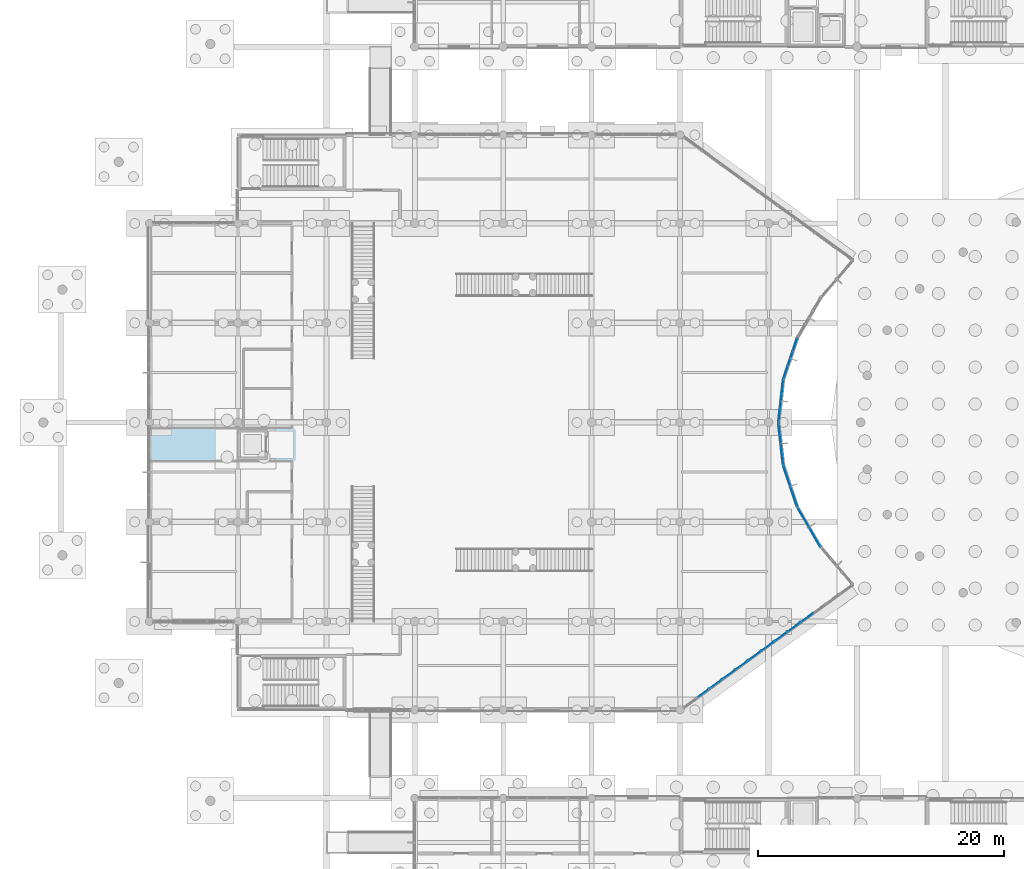
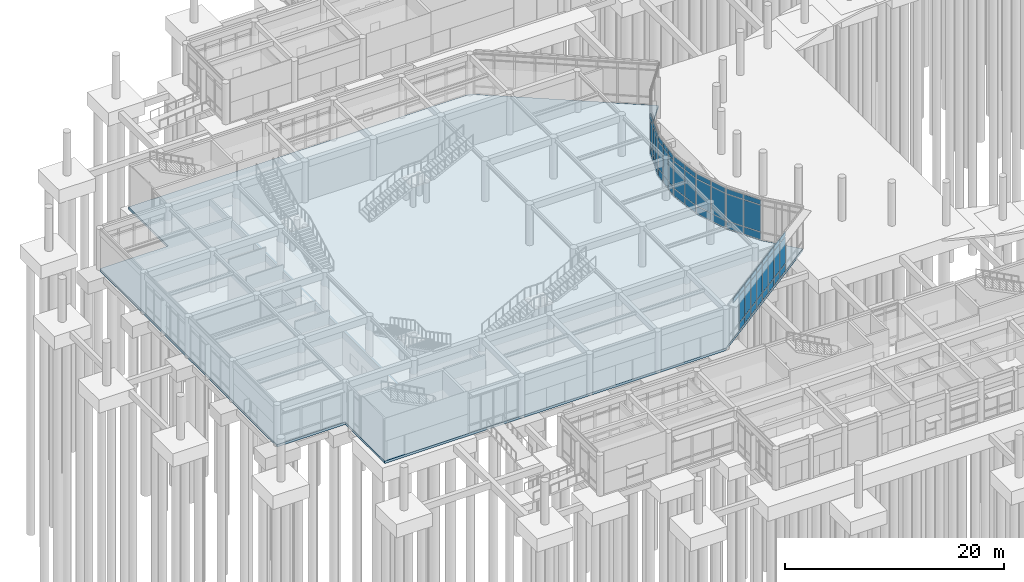
# One storey, part 42 of 103: 61 plates, 1 slab, 6 elements without a shape of their own.
"""IFC4 building model written with IfcOpenShell, lengths in metres."""

from ifc_helpers import new_model, si_unit, direction, frame, origin, origin_2d, place, context, subcontext, project, spatial, polyline, rectangle, outline, extrude, material, layer, layer_set, type_object, element, aggregate, save


model = new_model("IFC4")

# Units and contexts
model_context = context("Model", 3, precision=1e-05, world=origin(), true_north=direction((0.0, 1.0)))
body_context = subcontext(model_context, "Body", "Model", "MODEL_VIEW")
ifc_project = project(units=[si_unit("LENGTHUNIT", "METRE"), si_unit("AREAUNIT", "SQUARE_METRE"), si_unit("VOLUMEUNIT", "CUBIC_METRE"), si_unit("PLANEANGLEUNIT", "RADIAN"), si_unit("MASSUNIT", "GRAM", prefix="KILO")], contexts=[model_context])

# Site, building, storey
site_placement = place(None, origin())
site = spatial("IfcSite", under=ifc_project, at=site_placement, CompositionType="ELEMENT")
building_placement = place(site_placement, origin())
building = spatial("IfcBuilding", under=site, at=building_placement, Name="Namkhue Oval Health Centre", CompositionType="ELEMENT")
storey_placement = place(building_placement, origin())
storey = spatial("IfcBuildingStorey", under=building, at=storey_placement, Name="L00", CompositionType="ELEMENT", Elevation=0.0)

# Curtain wall, plates
ifc_material_1 = material(Name="Anodised aluminium EN AW-6063 T6", Category="aluminium")
ifc_layer_1 = layer(ifc_material_1, 0.159912109375)
ifc_layer_set_1 = layer_set([ifc_layer_1], Name="Anodised aluminium EN AW-6063 T6")
curtain_wall_type_1 = type_object("IfcCurtainWallType", Name="UNITISED CURTAIN WALL M1800", PredefinedType="NOTDEFINED", material=ifc_layer_set_1)
curtain_wall_1_placement = place(storey_placement, origin())
curtain_wall_1 = element("IfcCurtainWall", 1, at=curtain_wall_1_placement, inside=storey, type_object=curtain_wall_type_1, Name="Volume V1 L00 Unitised Curtain Wall 5", PredefinedType="NOTDEFINED")
ifc_material_2 = material(Name="Thermally broken low-E laminated double glazing", Category="glass")
ifc_layer_2 = layer(ifc_material_2, 0.02587890625)
ifc_layer_set_2 = layer_set([ifc_layer_2], Name="Thermally broken low-E laminated double glazing")
plate_type_1 = type_object("IfcPlateType", Name="CURTAIN WALL GLAZED PANEL 26", PredefinedType="CURTAIN_PANEL", material=ifc_layer_set_2)
plate_1_placement = place(storey_placement, frame((66.844970703125, 53.368408203125, 0.06494140625), z_axis=(0.0, 0.0, 1.0), x_axis=(-0.319641520458, 0.947538547184, 0.0)))
plate_1 = element("IfcPlate", 2, at=plate_1_placement, type_object=plate_type_1, Name="CW-05 panel 1.1", PredefinedType="CURTAIN_PANEL", context=body_context, shape_type="SweptSolid", body=[
    extrude(rectangle(XDim=1.702880859375, YDim=0.02587890625, at=origin_2d()), origin(), (0.0, 0.0, 1.0), 0.802490234375),
])
plate_2_placement = place(storey_placement, frame((66.844970703125, 53.368408203125, 0.9326171875), z_axis=(0.0, 0.0, 1.0), x_axis=(-0.319641520458, 0.947538547184, 0.0)))
plate_2 = element("IfcPlate", 3, at=plate_2_placement, type_object=plate_type_1, Name="CW-05 panel 1.2", PredefinedType="CURTAIN_PANEL", context=body_context, shape_type="SweptSolid", body=[
    extrude(rectangle(XDim=1.702880859375, YDim=0.02587890625, at=origin_2d()), origin(), (0.0, 0.0, 1.0), 2.949951171875),
])
plate_3_placement = place(storey_placement, frame((66.844970703125, 53.368408203125, 3.947265625), z_axis=(0.0, 0.0, 1.0), x_axis=(-0.319641520458, 0.947538547184, 0.0)))
plate_3 = element("IfcPlate", 4, at=plate_3_placement, type_object=plate_type_1, Name="CW-05 panel 1.3", PredefinedType="CURTAIN_PANEL", context=body_context, shape_type="SweptSolid", body=[
    extrude(rectangle(XDim=1.702880859375, YDim=0.02587890625, at=origin_2d()), origin(), (0.0, 0.0, 1.0), 0.552490234375),
])
plate_4_placement = place(storey_placement, frame((66.280029296875, 55.043701171875, 0.06494140625), z_axis=(0.0, 0.0, 1.0), x_axis=(-0.319641520458, 0.947538547184, 0.0)))
plate_4 = element("IfcPlate", 5, at=plate_4_placement, type_object=plate_type_1, Name="CW-05 panel 2.1", PredefinedType="CURTAIN_PANEL", context=body_context, shape_type="SweptSolid", body=[
    extrude(rectangle(XDim=1.702880859375, YDim=0.02587890625, at=origin_2d()), origin(), (0.0, 0.0, 1.0), 0.802490234375),
])
plate_5_placement = place(storey_placement, frame((66.280029296875, 55.043701171875, 0.9326171875), z_axis=(0.0, 0.0, 1.0), x_axis=(-0.319641520458, 0.947538547184, 0.0)))
plate_5 = element("IfcPlate", 6, at=plate_5_placement, type_object=plate_type_1, Name="CW-05 panel 2.2", PredefinedType="CURTAIN_PANEL", context=body_context, shape_type="SweptSolid", body=[
    extrude(rectangle(XDim=1.702880859375, YDim=0.02587890625, at=origin_2d()), origin(), (0.0, 0.0, 1.0), 2.949951171875),
])
plate_6_placement = place(storey_placement, frame((66.280029296875, 55.043701171875, 3.947265625), z_axis=(0.0, 0.0, 1.0), x_axis=(-0.319641520458, 0.947538547184, 0.0)))
plate_6 = element("IfcPlate", 7, at=plate_6_placement, type_object=plate_type_1, Name="CW-05 panel 2.3", PredefinedType="CURTAIN_PANEL", context=body_context, shape_type="SweptSolid", body=[
    extrude(rectangle(XDim=1.702880859375, YDim=0.02587890625, at=origin_2d()), origin(), (0.0, 0.0, 1.0), 0.552490234375),
])
aggregate(curtain_wall_1, [plate_1, plate_2, plate_3, plate_4, plate_5, plate_6])

ifc_layer_3 = layer(ifc_material_1, 0.159912109375)
ifc_layer_set_3 = layer_set([ifc_layer_3], Name="Anodised aluminium EN AW-6063 T6")
curtain_wall_type_2 = type_object("IfcCurtainWallType", Name="UNITISED CURTAIN WALL M1350", PredefinedType="NOTDEFINED", material=ifc_layer_set_3)
curtain_wall_2_placement = place(storey_placement, origin())
curtain_wall_2 = element("IfcCurtainWall", 8, at=curtain_wall_2_placement, inside=storey, type_object=curtain_wall_type_2, Name="Volume V1 L00 Unitised Curtain Wall 2", PredefinedType="NOTDEFINED")
ifc_layer_4 = layer(ifc_material_2, 0.028076171875)
ifc_layer_set_4 = layer_set([ifc_layer_4], Name="Thermally broken low-E laminated double glazing")
plate_type_2 = type_object("IfcPlateType", Name="CURTAIN WALL GLAZED PANEL 28", PredefinedType="CURTAIN_PANEL", material=ifc_layer_set_4)
plate_7_placement = place(storey_placement, frame((59.45703125, 37.3515625, 3.952392578125), z_axis=(0.0, 0.0, 1.0), x_axis=(0.808513999682, 0.588476942894, 0.0)))
plate_7 = element("IfcPlate", 9, at=plate_7_placement, type_object=plate_type_2, Name="CW-02 panel 2.3", PredefinedType="CURTAIN_PANEL", context=body_context, shape_type="SweptSolid", body=[
    extrude(rectangle(XDim=1.23291015625, YDim=0.028076171875, at=origin_2d()), origin(), (0.0, 0.0, 1.0), 0.53759765625),
])
plate_8_placement = place(storey_placement, frame((60.514404296875, 38.121337890625, 0.074951171875), z_axis=(0.0, 0.0, 1.0), x_axis=(0.808513999682, 0.588476942894, 0.0)))
plate_8 = element("IfcPlate", 10, at=plate_8_placement, type_object=plate_type_2, Name="CW-02 panel 3.1", PredefinedType="CURTAIN_PANEL", context=body_context, shape_type="SweptSolid", body=[
    extrude(rectangle(XDim=1.23291015625, YDim=0.028076171875, at=origin_2d()), origin(), (0.0, 0.0, 1.0), 0.78759765625),
])
plate_9_placement = place(storey_placement, frame((60.514404296875, 38.121337890625, 0.9375), z_axis=(0.0, 0.0, 1.0), x_axis=(0.808513999682, 0.588476942894, 0.0)))
plate_9 = element("IfcPlate", 11, at=plate_9_placement, type_object=plate_type_2, Name="CW-02 panel 3.2", PredefinedType="CURTAIN_PANEL", context=body_context, shape_type="SweptSolid", body=[
    extrude(rectangle(XDim=1.23291015625, YDim=0.028076171875, at=origin_2d()), origin(), (0.0, 0.0, 1.0), 2.93994140625),
])
plate_10_placement = place(storey_placement, frame((60.514404296875, 38.121337890625, 3.952392578125), z_axis=(0.0, 0.0, 1.0), x_axis=(0.808513999682, 0.588476942894, 0.0)))
plate_10 = element("IfcPlate", 12, at=plate_10_placement, type_object=plate_type_2, Name="CW-02 panel 3.3", PredefinedType="CURTAIN_PANEL", context=body_context, shape_type="SweptSolid", body=[
    extrude(rectangle(XDim=1.23291015625, YDim=0.028076171875, at=origin_2d()), origin(), (0.0, 0.0, 1.0), 0.53759765625),
])
plate_11_placement = place(storey_placement, frame((61.572021484375, 38.89111328125, 0.074951171875), z_axis=(0.0, 0.0, 1.0), x_axis=(0.808513999682, 0.588476942894, 0.0)))
plate_11 = element("IfcPlate", 13, at=plate_11_placement, type_object=plate_type_2, Name="CW-02 panel 4.1", PredefinedType="CURTAIN_PANEL", context=body_context, shape_type="SweptSolid", body=[
    extrude(rectangle(XDim=1.23291015625, YDim=0.028076171875, at=origin_2d()), origin(), (0.0, 0.0, 1.0), 0.78759765625),
])
plate_12_placement = place(storey_placement, frame((61.572021484375, 38.89111328125, 0.9375), z_axis=(0.0, 0.0, 1.0), x_axis=(0.808513999682, 0.588476942894, 0.0)))
plate_12 = element("IfcPlate", 14, at=plate_12_placement, type_object=plate_type_2, Name="CW-02 panel 4.2", PredefinedType="CURTAIN_PANEL", context=body_context, shape_type="SweptSolid", body=[
    extrude(rectangle(XDim=1.23291015625, YDim=0.028076171875, at=origin_2d()), origin(), (0.0, 0.0, 1.0), 2.93994140625),
])
plate_13_placement = place(storey_placement, frame((61.572021484375, 38.89111328125, 3.952392578125), z_axis=(0.0, 0.0, 1.0), x_axis=(0.808513999682, 0.588476942894, 0.0)))
plate_13 = element("IfcPlate", 15, at=plate_13_placement, type_object=plate_type_2, Name="CW-02 panel 4.3", PredefinedType="CURTAIN_PANEL", context=body_context, shape_type="SweptSolid", body=[
    extrude(rectangle(XDim=1.23291015625, YDim=0.028076171875, at=origin_2d()), origin(), (0.0, 0.0, 1.0), 0.53759765625),
])
plate_14_placement = place(storey_placement, frame((62.62939453125, 39.66064453125, 0.074951171875), z_axis=(0.0, 0.0, 1.0), x_axis=(0.808513999682, 0.588476942894, 0.0)))
plate_14 = element("IfcPlate", 16, at=plate_14_placement, type_object=plate_type_2, Name="CW-02 panel 5.1", PredefinedType="CURTAIN_PANEL", context=body_context, shape_type="SweptSolid", body=[
    extrude(rectangle(XDim=1.23291015625, YDim=0.028076171875, at=origin_2d()), origin(), (0.0, 0.0, 1.0), 0.78759765625),
])
plate_15_placement = place(storey_placement, frame((62.62939453125, 39.66064453125, 0.9375), z_axis=(0.0, 0.0, 1.0), x_axis=(0.808513999682, 0.588476942894, 0.0)))
plate_15 = element("IfcPlate", 17, at=plate_15_placement, type_object=plate_type_2, Name="CW-02 panel 5.2", PredefinedType="CURTAIN_PANEL", context=body_context, shape_type="SweptSolid", body=[
    extrude(rectangle(XDim=1.23291015625, YDim=0.028076171875, at=origin_2d()), origin(), (0.0, 0.0, 1.0), 2.93994140625),
])
plate_16_placement = place(storey_placement, frame((62.62939453125, 39.66064453125, 3.952392578125), z_axis=(0.0, 0.0, 1.0), x_axis=(0.808513999682, 0.588476942894, 0.0)))
plate_16 = element("IfcPlate", 18, at=plate_16_placement, type_object=plate_type_2, Name="CW-02 panel 5.3", PredefinedType="CURTAIN_PANEL", context=body_context, shape_type="SweptSolid", body=[
    extrude(rectangle(XDim=1.23291015625, YDim=0.028076171875, at=origin_2d()), origin(), (0.0, 0.0, 1.0), 0.53759765625),
])
plate_17_placement = place(storey_placement, frame((63.68701171875, 40.430419921875, 0.074951171875), z_axis=(0.0, 0.0, 1.0), x_axis=(0.808513999682, 0.588476942894, 0.0)))
plate_17 = element("IfcPlate", 19, at=plate_17_placement, type_object=plate_type_2, Name="CW-02 panel 6.1", PredefinedType="CURTAIN_PANEL", context=body_context, shape_type="SweptSolid", body=[
    extrude(rectangle(XDim=1.23291015625, YDim=0.028076171875, at=origin_2d()), origin(), (0.0, 0.0, 1.0), 0.78759765625),
])
plate_18_placement = place(storey_placement, frame((63.68701171875, 40.430419921875, 0.9375), z_axis=(0.0, 0.0, 1.0), x_axis=(0.808513999682, 0.588476942894, 0.0)))
plate_18 = element("IfcPlate", 20, at=plate_18_placement, type_object=plate_type_2, Name="CW-02 panel 6.2", PredefinedType="CURTAIN_PANEL", context=body_context, shape_type="SweptSolid", body=[
    extrude(rectangle(XDim=1.23291015625, YDim=0.028076171875, at=origin_2d()), origin(), (0.0, 0.0, 1.0), 2.93994140625),
])
plate_19_placement = place(storey_placement, frame((63.68701171875, 40.430419921875, 3.952392578125), z_axis=(0.0, 0.0, 1.0), x_axis=(0.808513999682, 0.588476942894, 0.0)))
plate_19 = element("IfcPlate", 21, at=plate_19_placement, type_object=plate_type_2, Name="CW-02 panel 6.3", PredefinedType="CURTAIN_PANEL", context=body_context, shape_type="SweptSolid", body=[
    extrude(rectangle(XDim=1.23291015625, YDim=0.028076171875, at=origin_2d()), origin(), (0.0, 0.0, 1.0), 0.53759765625),
])
plate_20_placement = place(storey_placement, frame((64.744384765625, 41.199951171875, 0.074951171875), z_axis=(0.0, 0.0, 1.0), x_axis=(0.808513999682, 0.588476942894, 0.0)))
plate_20 = element("IfcPlate", 22, at=plate_20_placement, type_object=plate_type_2, Name="CW-02 panel 7.1", PredefinedType="CURTAIN_PANEL", context=body_context, shape_type="SweptSolid", body=[
    extrude(rectangle(XDim=1.23291015625, YDim=0.028076171875, at=origin_2d()), origin(), (0.0, 0.0, 1.0), 0.78759765625),
])
plate_21_placement = place(storey_placement, frame((64.744384765625, 41.199951171875, 0.9375), z_axis=(0.0, 0.0, 1.0), x_axis=(0.808513999682, 0.588476942894, 0.0)))
plate_21 = element("IfcPlate", 23, at=plate_21_placement, type_object=plate_type_2, Name="CW-02 panel 7.2", PredefinedType="CURTAIN_PANEL", context=body_context, shape_type="SweptSolid", body=[
    extrude(rectangle(XDim=1.23291015625, YDim=0.028076171875, at=origin_2d()), origin(), (0.0, 0.0, 1.0), 2.93994140625),
])
plate_22_placement = place(storey_placement, frame((64.744384765625, 41.199951171875, 3.952392578125), z_axis=(0.0, 0.0, 1.0), x_axis=(0.808513999682, 0.588476942894, 0.0)))
plate_22 = element("IfcPlate", 24, at=plate_22_placement, type_object=plate_type_2, Name="CW-02 panel 7.3", PredefinedType="CURTAIN_PANEL", context=body_context, shape_type="SweptSolid", body=[
    extrude(rectangle(XDim=1.23291015625, YDim=0.028076171875, at=origin_2d()), origin(), (0.0, 0.0, 1.0), 0.53759765625),
])
plate_23_placement = place(storey_placement, frame((65.8017578125, 41.9697265625, 0.074951171875), z_axis=(0.0, 0.0, 1.0), x_axis=(0.808513999682, 0.588476942894, 0.0)))
plate_23 = element("IfcPlate", 25, at=plate_23_placement, type_object=plate_type_2, Name="CW-02 panel 8.1", PredefinedType="CURTAIN_PANEL", context=body_context, shape_type="SweptSolid", body=[
    extrude(rectangle(XDim=1.23291015625, YDim=0.028076171875, at=origin_2d()), origin(), (0.0, 0.0, 1.0), 0.78759765625),
])
plate_24_placement = place(storey_placement, frame((65.8017578125, 41.9697265625, 0.9375), z_axis=(0.0, 0.0, 1.0), x_axis=(0.808513999682, 0.588476942894, 0.0)))
plate_24 = element("IfcPlate", 26, at=plate_24_placement, type_object=plate_type_2, Name="CW-02 panel 8.2", PredefinedType="CURTAIN_PANEL", context=body_context, shape_type="SweptSolid", body=[
    extrude(rectangle(XDim=1.23291015625, YDim=0.028076171875, at=origin_2d()), origin(), (0.0, 0.0, 1.0), 2.93994140625),
])
plate_25_placement = place(storey_placement, frame((65.8017578125, 41.9697265625, 3.952392578125), z_axis=(0.0, 0.0, 1.0), x_axis=(0.808513999682, 0.588476942894, 0.0)))
plate_25 = element("IfcPlate", 27, at=plate_25_placement, type_object=plate_type_2, Name="CW-02 panel 8.3", PredefinedType="CURTAIN_PANEL", context=body_context, shape_type="SweptSolid", body=[
    extrude(rectangle(XDim=1.23291015625, YDim=0.028076171875, at=origin_2d()), origin(), (0.0, 0.0, 1.0), 0.53759765625),
])
plate_26_placement = place(storey_placement, frame((66.859375, 42.739501953125, 0.074951171875), z_axis=(0.0, 0.0, 1.0), x_axis=(0.808513999682, 0.588476942894, 0.0)))
plate_26 = element("IfcPlate", 28, at=plate_26_placement, type_object=plate_type_2, Name="CW-02 panel 9.1", PredefinedType="CURTAIN_PANEL", context=body_context, shape_type="SweptSolid", body=[
    extrude(rectangle(XDim=1.23291015625, YDim=0.028076171875, at=origin_2d()), origin(), (0.0, 0.0, 1.0), 0.78759765625),
])
plate_27_placement = place(storey_placement, frame((66.859375, 42.739501953125, 0.9375), z_axis=(0.0, 0.0, 1.0), x_axis=(0.808513999682, 0.588476942894, 0.0)))
plate_27 = element("IfcPlate", 29, at=plate_27_placement, type_object=plate_type_2, Name="CW-02 panel 9.2", PredefinedType="CURTAIN_PANEL", context=body_context, shape_type="SweptSolid", body=[
    extrude(rectangle(XDim=1.23291015625, YDim=0.028076171875, at=origin_2d()), origin(), (0.0, 0.0, 1.0), 2.93994140625),
])
plate_28_placement = place(storey_placement, frame((66.859375, 42.739501953125, 3.952392578125), z_axis=(0.0, 0.0, 1.0), x_axis=(0.808513999682, 0.588476942894, 0.0)))
plate_28 = element("IfcPlate", 30, at=plate_28_placement, type_object=plate_type_2, Name="CW-02 panel 9.3", PredefinedType="CURTAIN_PANEL", context=body_context, shape_type="SweptSolid", body=[
    extrude(rectangle(XDim=1.23291015625, YDim=0.028076171875, at=origin_2d()), origin(), (0.0, 0.0, 1.0), 0.53759765625),
])
plate_29_placement = place(storey_placement, frame((67.916748046875, 43.509033203125, 0.074951171875), z_axis=(0.0, 0.0, 1.0), x_axis=(0.808513999682, 0.588476942894, 0.0)))
plate_29 = element("IfcPlate", 31, at=plate_29_placement, type_object=plate_type_2, Name="CW-02 panel 10.1", PredefinedType="CURTAIN_PANEL", context=body_context, shape_type="SweptSolid", body=[
    extrude(rectangle(XDim=1.23291015625, YDim=0.028076171875, at=origin_2d()), origin(), (0.0, 0.0, 1.0), 0.78759765625),
])
plate_30_placement = place(storey_placement, frame((67.916748046875, 43.509033203125, 0.9375), z_axis=(0.0, 0.0, 1.0), x_axis=(0.808513999682, 0.588476942894, 0.0)))
plate_30 = element("IfcPlate", 32, at=plate_30_placement, type_object=plate_type_2, Name="CW-02 panel 10.2", PredefinedType="CURTAIN_PANEL", context=body_context, shape_type="SweptSolid", body=[
    extrude(rectangle(XDim=1.23291015625, YDim=0.028076171875, at=origin_2d()), origin(), (0.0, 0.0, 1.0), 2.93994140625),
])
plate_31_placement = place(storey_placement, frame((67.916748046875, 43.509033203125, 3.952392578125), z_axis=(0.0, 0.0, 1.0), x_axis=(0.808513999682, 0.588476942894, 0.0)))
plate_31 = element("IfcPlate", 33, at=plate_31_placement, type_object=plate_type_2, Name="CW-02 panel 10.3", PredefinedType="CURTAIN_PANEL", context=body_context, shape_type="SweptSolid", body=[
    extrude(rectangle(XDim=1.23291015625, YDim=0.028076171875, at=origin_2d()), origin(), (0.0, 0.0, 1.0), 0.53759765625),
])
aggregate(curtain_wall_2, [plate_7, plate_8, plate_9, plate_10, plate_11, plate_12, plate_13, plate_14, plate_15, plate_16, plate_17, plate_18, plate_19, plate_20, plate_21, plate_22, plate_23, plate_24, plate_25, plate_26, plate_27, plate_28, plate_29, plate_30, plate_31])

ifc_layer_5 = layer(ifc_material_1, 0.159912109375)
ifc_layer_set_5 = layer_set([ifc_layer_5], Name="Anodised aluminium EN AW-6063 T6")
curtain_wall_type_3 = type_object("IfcCurtainWallType", Name="UNITISED CURTAIN WALL M2000", PredefinedType="NOTDEFINED", material=ifc_layer_set_5)
curtain_wall_3_placement = place(storey_placement, origin())
curtain_wall_3 = element("IfcCurtainWall", 34, at=curtain_wall_3_placement, inside=storey, type_object=curtain_wall_type_3, Name="Volume V1 L00 Unitised Curtain Wall 6", PredefinedType="NOTDEFINED")
plate_32_placement = place(storey_placement, frame((65.88818359375, 56.802734375, 0.074951171875), z_axis=(0.0, 0.0, 1.0), x_axis=(-0.110275150425, 0.993901097292, 0.0)))
plate_32 = element("IfcPlate", 35, at=plate_32_placement, type_object=plate_type_2, Name="CW-06 panel 1.1", PredefinedType="CURTAIN_PANEL", context=body_context, shape_type="SweptSolid", body=[
    extrude(rectangle(XDim=1.64208984375, YDim=0.028076171875, at=origin_2d()), origin(), (0.0, 0.0, 1.0), 0.78759765625),
])
plate_33_placement = place(storey_placement, frame((65.88818359375, 56.802734375, 0.9375), z_axis=(0.0, 0.0, 1.0), x_axis=(-0.110275150425, 0.993901097292, 0.0)))
plate_33 = element("IfcPlate", 36, at=plate_33_placement, type_object=plate_type_2, Name="CW-06 panel 1.2", PredefinedType="CURTAIN_PANEL", context=body_context, shape_type="SweptSolid", body=[
    extrude(rectangle(XDim=1.64208984375, YDim=0.028076171875, at=origin_2d()), origin(), (0.0, 0.0, 1.0), 2.93994140625),
])
plate_34_placement = place(storey_placement, frame((65.88818359375, 56.802734375, 3.952392578125), z_axis=(0.0, 0.0, 1.0), x_axis=(-0.110275150425, 0.993901097292, 0.0)))
plate_34 = element("IfcPlate", 37, at=plate_34_placement, type_object=plate_type_2, Name="CW-06 panel 1.3", PredefinedType="CURTAIN_PANEL", context=body_context, shape_type="SweptSolid", body=[
    extrude(rectangle(XDim=1.64208984375, YDim=0.028076171875, at=origin_2d()), origin(), (0.0, 0.0, 1.0), 0.53759765625),
])
plate_35_placement = place(storey_placement, frame((65.69873046875, 58.50927734375, 0.074951171875), z_axis=(0.0, 0.0, 1.0), x_axis=(-0.110275150425, 0.993901097292, 0.0)))
plate_35 = element("IfcPlate", 38, at=plate_35_placement, type_object=plate_type_2, Name="CW-06 panel 2.1", PredefinedType="CURTAIN_PANEL", context=body_context, shape_type="SweptSolid", body=[
    extrude(rectangle(XDim=1.64208984375, YDim=0.028076171875, at=origin_2d()), origin(), (0.0, 0.0, 1.0), 0.78759765625),
])
plate_36_placement = place(storey_placement, frame((65.69873046875, 58.50927734375, 0.9375), z_axis=(0.0, 0.0, 1.0), x_axis=(-0.110275150425, 0.993901097292, 0.0)))
plate_36 = element("IfcPlate", 39, at=plate_36_placement, type_object=plate_type_2, Name="CW-06 panel 2.2", PredefinedType="CURTAIN_PANEL", context=body_context, shape_type="SweptSolid", body=[
    extrude(rectangle(XDim=1.64208984375, YDim=0.028076171875, at=origin_2d()), origin(), (0.0, 0.0, 1.0), 2.93994140625),
])
plate_37_placement = place(storey_placement, frame((65.69873046875, 58.50927734375, 3.952392578125), z_axis=(0.0, 0.0, 1.0), x_axis=(-0.110275150425, 0.993901097292, 0.0)))
plate_37 = element("IfcPlate", 40, at=plate_37_placement, type_object=plate_type_2, Name="CW-06 panel 2.3", PredefinedType="CURTAIN_PANEL", context=body_context, shape_type="SweptSolid", body=[
    extrude(rectangle(XDim=1.64208984375, YDim=0.028076171875, at=origin_2d()), origin(), (0.0, 0.0, 1.0), 0.53759765625),
])
aggregate(curtain_wall_3, [plate_32, plate_33, plate_34, plate_35, plate_36, plate_37])

ifc_layer_6 = layer(ifc_material_1, 0.159912109375)
ifc_layer_set_6 = layer_set([ifc_layer_6], Name="Anodised aluminium EN AW-6063 T6")
curtain_wall_type_4 = type_object("IfcCurtainWallType", Name="UNITISED CURTAIN WALL M1200", PredefinedType="NOTDEFINED", material=ifc_layer_set_6)
curtain_wall_4_placement = place(storey_placement, origin())
curtain_wall_4 = element("IfcCurtainWall", 41, at=curtain_wall_4_placement, inside=storey, type_object=curtain_wall_type_4, Name="Volume V1 L00 Unitised Curtain Wall 7", PredefinedType="NOTDEFINED")
ifc_material_3 = material(Name="Insulated anodised aluminium spandrel panel", Category="aluminium")
ifc_layer_7 = layer(ifc_material_3, 0.031982421875)
ifc_layer_set_7 = layer_set([ifc_layer_7], Name="Insulated anodised aluminium spandrel panel")
plate_type_3 = type_object("IfcPlateType", Name="CURTAIN WALL SPANDREL PANEL 32", PredefinedType="CURTAIN_PANEL", material=ifc_layer_set_7)
plate_38_placement = place(storey_placement, frame((65.666259765625, 59.99755859375, 0.06494140625), z_axis=(0.0, 0.0, 1.0), x_axis=(0.110275150425, 0.993901097292, 0.0)))
plate_38 = element("IfcPlate", 42, at=plate_38_placement, type_object=plate_type_3, Name="CW-01 panel 1.1", PredefinedType="CURTAIN_PANEL", context=body_context, shape_type="SweptSolid", body=[
    extrude(rectangle(XDim=1.072265625, YDim=0.031982421875, at=origin_2d()), origin(), (0.0, 0.0, 1.0), 0.802490234375),
])
plate_39_placement = place(storey_placement, frame((65.666259765625, 59.99755859375, 0.9326171875), z_axis=(0.0, 0.0, 1.0), x_axis=(0.110275150425, 0.993901097292, 0.0)))
plate_39 = element("IfcPlate", 43, at=plate_39_placement, type_object=plate_type_3, Name="CW-01 panel 1.2", PredefinedType="CURTAIN_PANEL", context=body_context, shape_type="SweptSolid", body=[
    extrude(rectangle(XDim=1.072265625, YDim=0.031982421875, at=origin_2d()), origin(), (0.0, 0.0, 1.0), 2.949951171875),
])
plate_40_placement = place(storey_placement, frame((65.666259765625, 59.99755859375, 3.947265625), z_axis=(0.0, 0.0, 1.0), x_axis=(0.110275150425, 0.993901097292, 0.0)))
plate_40 = element("IfcPlate", 44, at=plate_40_placement, type_object=plate_type_3, Name="CW-01 panel 1.3", PredefinedType="CURTAIN_PANEL", context=body_context, shape_type="SweptSolid", body=[
    extrude(rectangle(XDim=1.072265625, YDim=0.031982421875, at=origin_2d()), origin(), (0.0, 0.0, 1.0), 0.552490234375),
])
plate_41_placement = place(storey_placement, frame((65.79345703125, 61.14404296875, 0.06494140625), z_axis=(0.0, 0.0, 1.0), x_axis=(0.110275150425, 0.993901097292, 0.0)))
plate_41 = element("IfcPlate", 45, at=plate_41_placement, type_object=plate_type_3, Name="CW-01 panel 2.1", PredefinedType="CURTAIN_PANEL", context=body_context, shape_type="SweptSolid", body=[
    extrude(rectangle(XDim=1.104736328125, YDim=0.031982421875, at=origin_2d()), origin(), (0.0, 0.0, 1.0), 0.802490234375),
])
plate_42_placement = place(storey_placement, frame((65.79345703125, 61.14404296875, 0.9326171875), z_axis=(0.0, 0.0, 1.0), x_axis=(0.110275150425, 0.993901097292, 0.0)))
plate_42 = element("IfcPlate", 46, at=plate_42_placement, type_object=plate_type_3, Name="CW-01 panel 2.2", PredefinedType="CURTAIN_PANEL", context=body_context, shape_type="SweptSolid", body=[
    extrude(rectangle(XDim=1.104736328125, YDim=0.031982421875, at=origin_2d()), origin(), (0.0, 0.0, 1.0), 2.949951171875),
])
plate_43_placement = place(storey_placement, frame((65.79345703125, 61.14404296875, 3.947265625), z_axis=(0.0, 0.0, 1.0), x_axis=(0.110275150425, 0.993901097292, 0.0)))
plate_43 = element("IfcPlate", 47, at=plate_43_placement, type_object=plate_type_3, Name="CW-01 panel 2.3", PredefinedType="CURTAIN_PANEL", context=body_context, shape_type="SweptSolid", body=[
    extrude(rectangle(XDim=1.104736328125, YDim=0.031982421875, at=origin_2d()), origin(), (0.0, 0.0, 1.0), 0.552490234375),
])
plate_44_placement = place(storey_placement, frame((65.920654296875, 62.29052734375, 0.06494140625), z_axis=(0.0, 0.0, 1.0), x_axis=(0.110275150425, 0.993901097292, 0.0)))
plate_44 = element("IfcPlate", 48, at=plate_44_placement, type_object=plate_type_3, Name="CW-01 panel 3.1", PredefinedType="CURTAIN_PANEL", context=body_context, shape_type="SweptSolid", body=[
    extrude(rectangle(XDim=1.072265625, YDim=0.031982421875, at=origin_2d()), origin(), (0.0, 0.0, 1.0), 0.802490234375),
])
plate_45_placement = place(storey_placement, frame((65.920654296875, 62.29052734375, 0.9326171875), z_axis=(0.0, 0.0, 1.0), x_axis=(0.110275150425, 0.993901097292, 0.0)))
plate_45 = element("IfcPlate", 49, at=plate_45_placement, type_object=plate_type_3, Name="CW-01 panel 3.2", PredefinedType="CURTAIN_PANEL", context=body_context, shape_type="SweptSolid", body=[
    extrude(rectangle(XDim=1.072265625, YDim=0.031982421875, at=origin_2d()), origin(), (0.0, 0.0, 1.0), 2.949951171875),
])
plate_46_placement = place(storey_placement, frame((65.920654296875, 62.29052734375, 3.947265625), z_axis=(0.0, 0.0, 1.0), x_axis=(0.110275150425, 0.993901097292, 0.0)))
plate_46 = element("IfcPlate", 50, at=plate_46_placement, type_object=plate_type_3, Name="CW-01 panel 3.3", PredefinedType="CURTAIN_PANEL", context=body_context, shape_type="SweptSolid", body=[
    extrude(rectangle(XDim=1.072265625, YDim=0.031982421875, at=origin_2d()), origin(), (0.0, 0.0, 1.0), 0.552490234375),
])
aggregate(curtain_wall_4, [plate_38, plate_39, plate_40, plate_41, plate_42, plate_43, plate_44, plate_45, plate_46])

ifc_layer_8 = layer(ifc_material_1, 0.159912109375)
ifc_layer_set_8 = layer_set([ifc_layer_8], Name="Anodised aluminium EN AW-6063 T6")
curtain_wall_type_5 = type_object("IfcCurtainWallType", Name="UNITISED CURTAIN WALL M1600", PredefinedType="NOTDEFINED", material=ifc_layer_set_8)
curtain_wall_5_placement = place(storey_placement, origin())
curtain_wall_5 = element("IfcCurtainWall", 51, at=curtain_wall_5_placement, inside=storey, type_object=curtain_wall_type_5, Name="Volume V1 L00 Unitised Curtain Wall 4", PredefinedType="NOTDEFINED")
ifc_layer_9 = layer(ifc_material_3, 0.035888671875)
ifc_layer_set_9 = layer_set([ifc_layer_9], Name="Insulated anodised aluminium spandrel panel")
plate_type_4 = type_object("IfcPlateType", Name="CURTAIN WALL SPANDREL PANEL 36", PredefinedType="CURTAIN_PANEL", material=ifc_layer_set_9)
plate_47_placement = place(storey_placement, frame((68.546875, 50.0712890625, 0.074951171875), z_axis=(0.0, 0.0, 1.0), x_axis=(-0.501757798896, 0.865008156752, 0.0)))
plate_47 = element("IfcPlate", 52, at=plate_47_placement, type_object=plate_type_4, Name="CW-04 panel 1.1", PredefinedType="CURTAIN_PANEL", context=body_context, shape_type="SweptSolid", body=[
    extrude(rectangle(XDim=1.77197265625, YDim=0.035888671875, at=origin_2d()), origin(), (0.0, 0.0, 1.0), 0.78759765625),
])
plate_48_placement = place(storey_placement, frame((68.546875, 50.0712890625, 0.9375), z_axis=(0.0, 0.0, 1.0), x_axis=(-0.501757798896, 0.865008156752, 0.0)))
plate_48 = element("IfcPlate", 53, at=plate_48_placement, type_object=plate_type_4, Name="CW-04 panel 1.2", PredefinedType="CURTAIN_PANEL", context=body_context, shape_type="SweptSolid", body=[
    extrude(rectangle(XDim=1.77197265625, YDim=0.035888671875, at=origin_2d()), origin(), (0.0, 0.0, 1.0), 2.93994140625),
])
plate_49_placement = place(storey_placement, frame((68.546875, 50.0712890625, 3.952392578125), z_axis=(0.0, 0.0, 1.0), x_axis=(-0.501757798896, 0.865008156752, 0.0)))
plate_49 = element("IfcPlate", 54, at=plate_49_placement, type_object=plate_type_4, Name="CW-04 panel 1.3", PredefinedType="CURTAIN_PANEL", context=body_context, shape_type="SweptSolid", body=[
    extrude(rectangle(XDim=1.77197265625, YDim=0.035888671875, at=origin_2d()), origin(), (0.0, 0.0, 1.0), 0.53759765625),
])
plate_50_placement = place(storey_placement, frame((67.6201171875, 51.668701171875, 0.074951171875), z_axis=(0.0, 0.0, 1.0), x_axis=(-0.501757798896, 0.865008156752, 0.0)))
plate_50 = element("IfcPlate", 55, at=plate_50_placement, type_object=plate_type_4, Name="CW-04 panel 2.1", PredefinedType="CURTAIN_PANEL", context=body_context, shape_type="SweptSolid", body=[
    extrude(rectangle(XDim=1.77197265625, YDim=0.035888671875, at=origin_2d()), origin(), (0.0, 0.0, 1.0), 0.78759765625),
])
plate_51_placement = place(storey_placement, frame((67.6201171875, 51.668701171875, 0.9375), z_axis=(0.0, 0.0, 1.0), x_axis=(-0.501757798896, 0.865008156752, 0.0)))
plate_51 = element("IfcPlate", 56, at=plate_51_placement, type_object=plate_type_4, Name="CW-04 panel 2.2", PredefinedType="CURTAIN_PANEL", context=body_context, shape_type="SweptSolid", body=[
    extrude(rectangle(XDim=1.77197265625, YDim=0.035888671875, at=origin_2d()), origin(), (0.0, 0.0, 1.0), 2.93994140625),
])
plate_52_placement = place(storey_placement, frame((67.6201171875, 51.668701171875, 3.952392578125), z_axis=(0.0, 0.0, 1.0), x_axis=(-0.501757798896, 0.865008156752, 0.0)))
plate_52 = element("IfcPlate", 57, at=plate_52_placement, type_object=plate_type_4, Name="CW-04 panel 2.3", PredefinedType="CURTAIN_PANEL", context=body_context, shape_type="SweptSolid", body=[
    extrude(rectangle(XDim=1.77197265625, YDim=0.035888671875, at=origin_2d()), origin(), (0.0, 0.0, 1.0), 0.53759765625),
])
aggregate(curtain_wall_5, [plate_47, plate_48, plate_49, plate_50, plate_51, plate_52])

curtain_wall_6_placement = place(storey_placement, origin())
curtain_wall_6 = element("IfcCurtainWall", 58, at=curtain_wall_6_placement, inside=storey, type_object=curtain_wall_type_2, Name="Volume V1 L00 Unitised Curtain Wall 8", PredefinedType="NOTDEFINED")
plate_53_placement = place(storey_placement, frame((66.184814453125, 63.474365234375, 0.074951171875), z_axis=(0.0, 0.0, 1.0), x_axis=(0.319641520458, 0.947538547184, 0.0)))
plate_53 = element("IfcPlate", 59, at=plate_53_placement, type_object=plate_type_4, Name="CW-02 panel 1.1", PredefinedType="CURTAIN_PANEL", context=body_context, shape_type="SweptSolid", body=[
    extrude(rectangle(XDim=1.087890625, YDim=0.035888671875, at=origin_2d()), origin(), (0.0, 0.0, 1.0), 0.78759765625),
])
plate_54_placement = place(storey_placement, frame((66.184814453125, 63.474365234375, 0.9375), z_axis=(0.0, 0.0, 1.0), x_axis=(0.319641520458, 0.947538547184, 0.0)))
plate_54 = element("IfcPlate", 60, at=plate_54_placement, type_object=plate_type_4, Name="CW-02 panel 1.2", PredefinedType="CURTAIN_PANEL", context=body_context, shape_type="SweptSolid", body=[
    extrude(rectangle(XDim=1.087890625, YDim=0.035888671875, at=origin_2d()), origin(), (0.0, 0.0, 1.0), 2.93994140625),
])
plate_55_placement = place(storey_placement, frame((66.184814453125, 63.474365234375, 3.952392578125), z_axis=(0.0, 0.0, 1.0), x_axis=(0.319641520458, 0.947538547184, 0.0)))
plate_55 = element("IfcPlate", 61, at=plate_55_placement, type_object=plate_type_4, Name="CW-02 panel 1.3", PredefinedType="CURTAIN_PANEL", context=body_context, shape_type="SweptSolid", body=[
    extrude(rectangle(XDim=1.087890625, YDim=0.035888671875, at=origin_2d()), origin(), (0.0, 0.0, 1.0), 0.53759765625),
])
plate_56_placement = place(storey_placement, frame((66.5625, 64.593994140625, 0.074951171875), z_axis=(0.0, 0.0, 1.0), x_axis=(0.319641520458, 0.947538547184, 0.0)))
plate_56 = element("IfcPlate", 62, at=plate_56_placement, type_object=plate_type_4, Name="CW-02 panel 2.1", PredefinedType="CURTAIN_PANEL", context=body_context, shape_type="SweptSolid", body=[
    extrude(rectangle(XDim=1.125244140625, YDim=0.035888671875, at=origin_2d()), origin(), (0.0, 0.0, 1.0), 0.78759765625),
])
plate_57_placement = place(storey_placement, frame((66.5625, 64.593994140625, 0.9375), z_axis=(0.0, 0.0, 1.0), x_axis=(0.319641520458, 0.947538547184, 0.0)))
plate_57 = element("IfcPlate", 63, at=plate_57_placement, type_object=plate_type_4, Name="CW-02 panel 2.2", PredefinedType="CURTAIN_PANEL", context=body_context, shape_type="SweptSolid", body=[
    extrude(rectangle(XDim=1.125244140625, YDim=0.035888671875, at=origin_2d()), origin(), (0.0, 0.0, 1.0), 2.93994140625),
])
plate_58_placement = place(storey_placement, frame((66.5625, 64.593994140625, 3.952392578125), z_axis=(0.0, 0.0, 1.0), x_axis=(0.319641520458, 0.947538547184, 0.0)))
plate_58 = element("IfcPlate", 64, at=plate_58_placement, type_object=plate_type_4, Name="CW-02 panel 2.3", PredefinedType="CURTAIN_PANEL", context=body_context, shape_type="SweptSolid", body=[
    extrude(rectangle(XDim=1.125244140625, YDim=0.035888671875, at=origin_2d()), origin(), (0.0, 0.0, 1.0), 0.53759765625),
])
plate_59_placement = place(storey_placement, frame((66.940185546875, 65.713623046875, 0.074951171875), z_axis=(0.0, 0.0, 1.0), x_axis=(0.319641520458, 0.947538547184, 0.0)))
plate_59 = element("IfcPlate", 65, at=plate_59_placement, type_object=plate_type_4, Name="CW-02 panel 3.1", PredefinedType="CURTAIN_PANEL", context=body_context, shape_type="SweptSolid", body=[
    extrude(rectangle(XDim=1.087890625, YDim=0.035888671875, at=origin_2d()), origin(), (0.0, 0.0, 1.0), 0.78759765625),
])
plate_60_placement = place(storey_placement, frame((66.940185546875, 65.713623046875, 0.9375), z_axis=(0.0, 0.0, 1.0), x_axis=(0.319641520458, 0.947538547184, 0.0)))
plate_60 = element("IfcPlate", 66, at=plate_60_placement, type_object=plate_type_4, Name="CW-02 panel 3.2", PredefinedType="CURTAIN_PANEL", context=body_context, shape_type="SweptSolid", body=[
    extrude(rectangle(XDim=1.087890625, YDim=0.035888671875, at=origin_2d()), origin(), (0.0, 0.0, 1.0), 2.93994140625),
])
plate_61_placement = place(storey_placement, frame((66.940185546875, 65.713623046875, 3.952392578125), z_axis=(0.0, 0.0, 1.0), x_axis=(0.319641520458, 0.947538547184, 0.0)))
plate_61 = element("IfcPlate", 67, at=plate_61_placement, type_object=plate_type_4, Name="CW-02 panel 3.3", PredefinedType="CURTAIN_PANEL", context=body_context, shape_type="SweptSolid", body=[
    extrude(rectangle(XDim=1.087890625, YDim=0.035888671875, at=origin_2d()), origin(), (0.0, 0.0, 1.0), 0.53759765625),
])
aggregate(curtain_wall_6, [plate_53, plate_54, plate_55, plate_56, plate_57, plate_58, plate_59, plate_60, plate_61])

# Slab
ifc_material_4 = material(Name="Reinforced concrete C30/37 (TCVN B35)", Category="concrete")
ifc_layer_10 = layer(ifc_material_4, 0.27001953125)
ifc_layer_set_10 = layer_set([ifc_layer_10], Name="Reinforced concrete C30/37 (TCVN B35)")
slab_type = type_object("IfcSlabType", Name="GROUND BASE SLAB 270", PredefinedType="BASESLAB", material=ifc_layer_set_10)
slab_placement = place(storey_placement, frame((0.0, 0.0, -0.27001953125)))
element("IfcSlab", 68, at=slab_placement, inside=storey, type_object=slab_type, Name="Volume V1 L00 Ground Base Slab", PredefinedType="BASESLAB", context=body_context, shape_type="SweptSolid", body=[
    extrude(outline(polyline([(21.60009765625, 36.0), (57.60009765625, 36.0), (71.617919921875, 46.202880859375), (69.029052734375, 49.239990234375), (67.137939453125, 52.5), (65.987060546875, 55.912109375), (65.60009765625, 59.39990234375), (65.987060546875, 62.887939453125), (67.137939453125, 66.300048828125), (69.029052734375, 69.56005859375), (71.617919921875, 72.596923828125), (57.60009765625, 82.800048828125), (21.60009765625, 82.800048828125), (21.60009765625, 75.60009765625), (14.39990234375, 75.60009765625), (14.39990234375, 43.199951171875), (21.60009765625, 43.199951171875), (21.60009765625, 36.0)])), origin(), (0.0, 0.0, 1.0), 0.27001953125),
])

save(model, "model.ifc")
